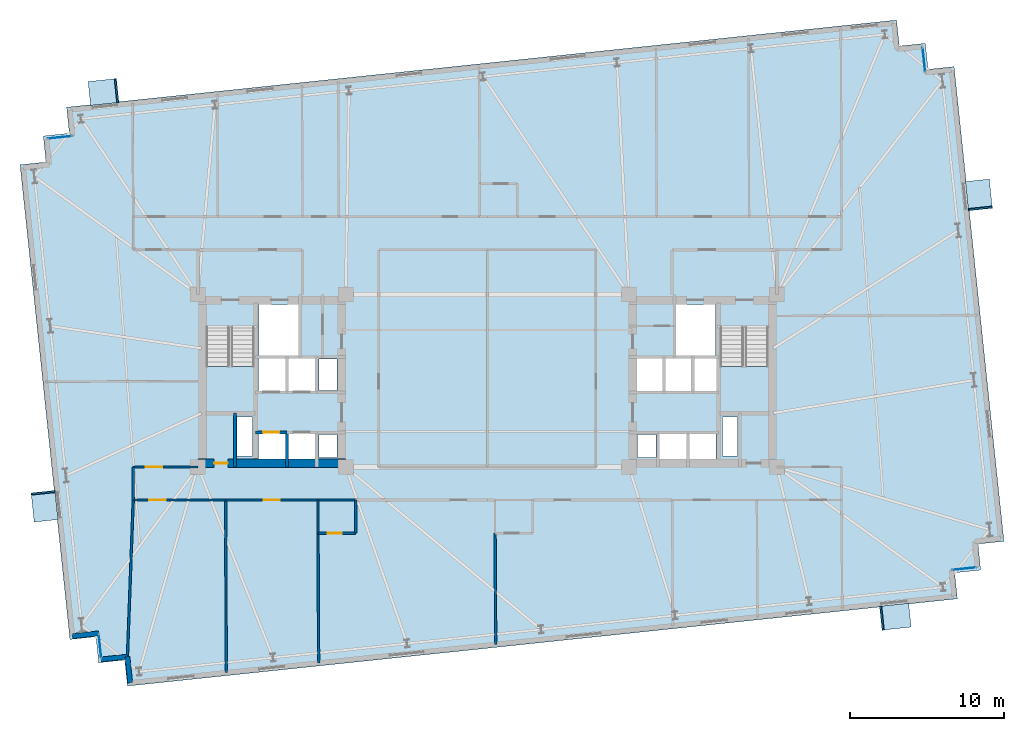
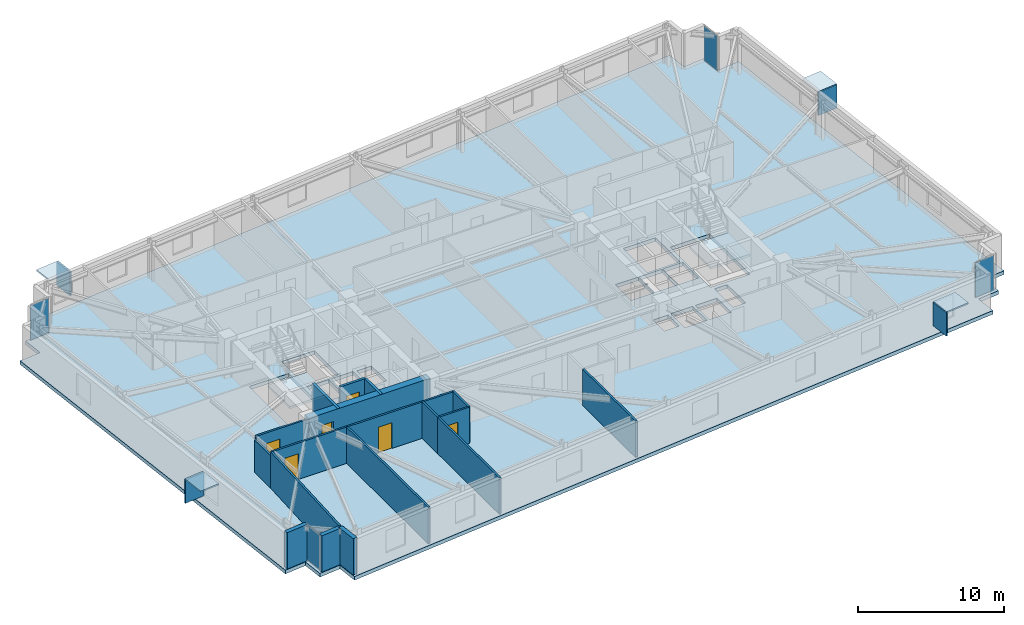
# One storey, part 11 of 17: 19 walls, 12 plates, 6 doors, 3 slabs, 6 openings, 6 elements without a shape of their own.
"""IFC4 building model written with IfcOpenShell, lengths in metres."""

from ifc_helpers import new_model, si_unit, direction, frame, frame_2d, origin, origin_2d, place, context, subcontext, project, spatial, polyline, rectangle, outline, extrude, material, layer, layer_set, type_object, element, fill, aggregate, save


model = new_model("IFC4")

# Units and contexts
model_context = context("Model", 3, precision=1e-05, world=origin(), true_north=direction((0.0, 1.0)))
body_context = subcontext(model_context, "Body", "Model", "MODEL_VIEW")
ifc_project = project(units=[si_unit("LENGTHUNIT", "METRE"), si_unit("AREAUNIT", "SQUARE_METRE"), si_unit("VOLUMEUNIT", "CUBIC_METRE"), si_unit("PLANEANGLEUNIT", "RADIAN"), si_unit("MASSUNIT", "GRAM", prefix="KILO")], contexts=[model_context])

# Site, building, storey
site_placement = place(None, origin())
site = spatial("IfcSite", under=ifc_project, at=site_placement, CompositionType="ELEMENT")
building_placement = place(site_placement, origin())
building = spatial("IfcBuilding", under=site, at=building_placement, Name="Qobustan Lattice House", CompositionType="ELEMENT")
storey_placement = place(building_placement, frame((0.0, 0.0, 112.5)))
storey = spatial("IfcBuildingStorey", under=building, at=storey_placement, Name="L31", CompositionType="ELEMENT", Elevation=112.5)

# Curtain wall, plate
ifc_material_1 = material(Name="Anodised aluminium and low-E glazing", Category="aluminium")
ifc_layer_1 = layer(ifc_material_1, 0.219970703125)
ifc_layer_set_1 = layer_set([ifc_layer_1], Name="Anodised aluminium and low-E glazing")
curtain_wall_type = type_object("IfcCurtainWallType", Name="CW-FAC-01", PredefinedType="USERDEFINED", material=ifc_layer_set_1)
curtain_wall_1_placement = place(storey_placement, origin())
curtain_wall_1 = element("IfcCurtainWall", 1, at=curtain_wall_1_placement, inside=storey, type_object=curtain_wall_type, Name="L31 serrated corner faceted glazing 3", ObjectType="CURTAIN WALL", PredefinedType="USERDEFINED")
ifc_material_2 = material(Name="Clear low-E laminated glass", Category="glass")
ifc_layer_2 = layer(ifc_material_2, 0.031982421875)
ifc_layer_set_2 = layer_set([ifc_layer_2], Name="Clear low-E laminated glass")
plate_type_1 = type_object("IfcPlateType", Name="CWP-VISION-32", PredefinedType="CURTAIN_PANEL", material=ifc_layer_set_2)
plate_1_placement = place(storey_placement, frame((-25.155029296875, -17.2509765625, 0.06494140625), z_axis=(0.0, 0.0, 1.0), x_axis=(-0.104528620025, 0.994521878892, 0.0)))
plate_1 = element("IfcPlate", 2, at=plate_1_placement, type_object=plate_type_1, Name="CW-F1 panel 1.1", PredefinedType="CURTAIN_PANEL", context=body_context, shape_type="SweptSolid", body=[
    extrude(rectangle(XDim=1.56005859375, YDim=0.031982421875, at=origin_2d()), origin(), (0.0, 0.0, 1.0), 2.9150390625),
])
aggregate(curtain_wall_1, [plate_1])

curtain_wall_2_placement = place(storey_placement, origin())
curtain_wall_2 = element("IfcCurtainWall", 3, at=curtain_wall_2_placement, inside=storey, type_object=curtain_wall_type, Name="L31 serrated corner faceted glazing 8", ObjectType="CURTAIN WALL", PredefinedType="USERDEFINED")
plate_2_placement = place(storey_placement, frame((-27.77490234375, 15.80615234375, 0.06494140625), z_axis=(0.0, 0.0, 1.0), x_axis=(0.994521878892, 0.104528620025, 0.0)))
plate_2 = element("IfcPlate", 4, at=plate_2_placement, type_object=plate_type_1, Name="CW-F1 panel 1.1", PredefinedType="CURTAIN_PANEL", context=body_context, shape_type="SweptSolid", body=[
    extrude(rectangle(XDim=1.56005859375, YDim=0.031982421875, at=origin_2d()), origin(), (0.0, 0.0, 1.0), 2.9150390625),
])
aggregate(curtain_wall_2, [plate_2])

curtain_wall_3_placement = place(storey_placement, origin())
curtain_wall_3 = element("IfcCurtainWall", 5, at=curtain_wall_3_placement, inside=storey, type_object=curtain_wall_type, Name="L31 serrated corner faceted glazing 13", ObjectType="CURTAIN WALL", PredefinedType="USERDEFINED")
plate_3_placement = place(storey_placement, frame((28.355224609375, 20.85107421875, 0.06494140625), z_axis=(0.0, 0.0, 1.0), x_axis=(0.104528620025, -0.994521878892, 0.0)))
plate_3 = element("IfcPlate", 6, at=plate_3_placement, type_object=plate_type_1, Name="CW-F1 panel 1.1", PredefinedType="CURTAIN_PANEL", context=body_context, shape_type="SweptSolid", body=[
    extrude(rectangle(XDim=1.56005859375, YDim=0.031982421875, at=origin_2d()), origin(), (0.0, 0.0, 1.0), 2.9150390625),
])
aggregate(curtain_wall_3, [plate_3])

curtain_wall_4_placement = place(storey_placement, origin())
curtain_wall_4 = element("IfcCurtainWall", 7, at=curtain_wall_4_placement, inside=storey, type_object=curtain_wall_type, Name="L31 serrated corner faceted glazing 18", ObjectType="CURTAIN WALL", PredefinedType="USERDEFINED")
plate_4_placement = place(storey_placement, frame((30.974853515625, -12.206298828125, 0.06494140625), z_axis=(0.0, 0.0, 1.0), x_axis=(-0.994521878892, -0.104528620025, 0.0)))
plate_4 = element("IfcPlate", 8, at=plate_4_placement, type_object=plate_type_1, Name="CW-F1 panel 1.1", PredefinedType="CURTAIN_PANEL", context=body_context, shape_type="SweptSolid", body=[
    extrude(rectangle(XDim=1.56005859375, YDim=0.031982421875, at=origin_2d()), origin(), (0.0, 0.0, 1.0), 2.9150390625),
])
aggregate(curtain_wall_4, [plate_4])

# Plates
ifc_material_3 = material(Name="Qobustan limestone GFRC", Category="masonry")
ifc_layer_3 = layer(ifc_material_3, 0.1201171875)
ifc_layer_set_3 = layer_set([ifc_layer_3], Name="Qobustan limestone GFRC")
plate_type_2 = type_object("IfcPlateType", Name="SHD-HOOD-BROW", PredefinedType="USERDEFINED", material=ifc_layer_set_3)
plate_5_placement = place(storey_placement, frame((-28.755615234375, -8.156494140625, 2.699951171875), z_axis=(0.0, 0.0, 1.0), x_axis=(-0.104528463268, 0.994521895368, 0.0)))
element("IfcPlate", 9, at=plate_5_placement, inside=storey, type_object=plate_type_2, Name="L31 splayed Qobustan stone hood brow", ObjectType="SUNSHADE", PredefinedType="USERDEFINED", context=body_context, shape_type="SweptSolid", body=[
    extrude(rectangle(XDim=1.889892578125, YDim=1.56005859375, at=origin_2d()), origin(), (0.0, 0.0, 1.0), 0.1201171875),
])
plate_6_placement = place(storey_placement, frame((-28.84814453125, -7.276123046875, 0.7900390625), z_axis=(0.0, 0.0, 1.0), x_axis=(-0.104528463268, 0.994521895368, 0.0)))
element("IfcPlate", 10, at=plate_6_placement, inside=storey, type_object=plate_type_2, Name="L31 splayed Qobustan stone hood cheek", ObjectType="SUNSHADE", PredefinedType="USERDEFINED", context=body_context, shape_type="SweptSolid", body=[
    extrude(rectangle(XDim=0.1201171875, YDim=1.56005859375, at=origin_2d()), origin(), (0.0, 0.0, 1.0), 1.969970703125),
])
plate_7_placement = place(storey_placement, frame((-24.935302734375, 18.7490234375, 2.699951171875), z_axis=(0.0, 0.0, 1.0), x_axis=(0.994521895368, 0.104528463268, 0.0)))
element("IfcPlate", 11, at=plate_7_placement, inside=storey, type_object=plate_type_2, Name="L31 splayed Qobustan stone hood brow", ObjectType="SUNSHADE", PredefinedType="USERDEFINED", context=body_context, shape_type="SweptSolid", body=[
    extrude(rectangle(XDim=1.840087890625, YDim=1.56005859375, at=origin_2d()), origin(), (0.0, 0.0, 1.0), 0.1201171875),
])
plate_8_placement = place(storey_placement, frame((-24.080078125, 18.839111328125, 0.7900390625), z_axis=(0.0, 0.0, 1.0), x_axis=(0.994521895368, 0.104528463268, 0.0)))
element("IfcPlate", 12, at=plate_8_placement, inside=storey, type_object=plate_type_2, Name="L31 splayed Qobustan stone hood cheek", ObjectType="SUNSHADE", PredefinedType="USERDEFINED", context=body_context, shape_type="SweptSolid", body=[
    extrude(rectangle(XDim=0.1201171875, YDim=1.56005859375, at=origin_2d()), origin(), (0.0, 0.0, 1.0), 1.969970703125),
])
plate_9_placement = place(storey_placement, frame((31.922119140625, 12.074951171875, 2.699951171875), z_axis=(0.0, 0.0, 1.0), x_axis=(0.104528463268, -0.994521895368, 0.0)))
element("IfcPlate", 13, at=plate_9_placement, inside=storey, type_object=plate_type_2, Name="L31 splayed Qobustan stone hood brow", ObjectType="SUNSHADE", PredefinedType="USERDEFINED", context=body_context, shape_type="SweptSolid", body=[
    extrude(rectangle(XDim=1.889892578125, YDim=1.56005859375, at=origin_2d()), origin(), (0.0, 0.0, 1.0), 0.1201171875),
])
plate_10_placement = place(storey_placement, frame((32.0146484375, 11.19482421875, 0.7900390625), z_axis=(0.0, 0.0, 1.0), x_axis=(0.104528463268, -0.994521895368, 0.0)))
element("IfcPlate", 14, at=plate_10_placement, inside=storey, type_object=plate_type_2, Name="L31 splayed Qobustan stone hood cheek", ObjectType="SUNSHADE", PredefinedType="USERDEFINED", context=body_context, shape_type="SweptSolid", body=[
    extrude(rectangle(XDim=0.1201171875, YDim=1.56005859375, at=origin_2d()), origin(), (0.0, 0.0, 1.0), 1.969970703125),
])
plate_11_placement = place(storey_placement, frame((26.503173828125, -15.32080078125, 2.699951171875), z_axis=(0.0, 0.0, 1.0), x_axis=(-0.994521895368, -0.104528463268, 0.0)))
element("IfcPlate", 15, at=plate_11_placement, inside=storey, type_object=plate_type_2, Name="L31 splayed Qobustan stone hood brow", ObjectType="SUNSHADE", PredefinedType="USERDEFINED", context=body_context, shape_type="SweptSolid", body=[
    extrude(rectangle(XDim=1.889892578125, YDim=1.56005859375, at=origin_2d()), origin(), (0.0, 0.0, 1.0), 0.1201171875),
])
plate_12_placement = place(storey_placement, frame((25.623046875, -15.4130859375, 0.7900390625), z_axis=(0.0, 0.0, 1.0), x_axis=(-0.994521895368, -0.104528463268, 0.0)))
element("IfcPlate", 16, at=plate_12_placement, inside=storey, type_object=plate_type_2, Name="L31 splayed Qobustan stone hood cheek", ObjectType="SUNSHADE", PredefinedType="USERDEFINED", context=body_context, shape_type="SweptSolid", body=[
    extrude(rectangle(XDim=0.1201171875, YDim=1.56005859375, at=origin_2d()), origin(), (0.0, 0.0, 1.0), 1.969970703125),
])

# Slab
ifc_material_4 = material(Name="Concrete C40/50", Category="concrete")
ifc_layer_4 = layer(ifc_material_4, 0.304931640625)
ifc_layer_set_4 = layer_set([ifc_layer_4], Name="Concrete C40/50")
slab_type_1 = type_object("IfcSlabType", Name="SLB-FLR-305", PredefinedType="FLOOR", material=ifc_layer_set_4)
slab_1_placement = place(storey_placement, frame((0.0, 0.0, -0.304931640625)))
element("IfcSlab", 17, at=slab_1_placement, inside=storey, type_object=slab_type_1, Name="L31 structural floor slab", PredefinedType="FLOOR", context=body_context, shape_type="SweptSolid", body=[
    extrude(outline(polyline([(-23.3759765625, -19.8291015625), (30.527099609375, -14.163818359375), (30.349365234375, -12.47314453125), (32.0400390625, -12.29541015625), (31.8623046875, -10.604736328125), (33.552978515625, -10.427001953125), (30.312744140625, 20.4033203125), (28.6220703125, 20.2255859375), (28.4443359375, 21.916259765625), (26.753662109375, 21.738525390625), (26.575927734375, 23.42919921875), (-27.3271484375, 17.763671875), (-27.1494140625, 16.072998046875), (-28.840087890625, 15.8955078125), (-28.662353515625, 14.20458984375), (-30.35302734375, 14.027099609375), (-27.11279296875, -16.80322265625), (-25.422119140625, -16.62548828125), (-25.244384765625, -18.316162109375), (-23.5537109375, -18.138427734375), (-23.3759765625, -19.8291015625)]), holes=[polyline([(-18.25, -2.050048828125), (-18.25, 3.489990234375), (-15.1298828125, 3.489990234375), (-15.1298828125, -2.050048828125), (-18.25, -2.050048828125)]), polyline([(15.1298828125, -2.050048828125), (15.1298828125, 3.489990234375), (18.25, 3.489990234375), (18.25, -2.050048828125), (15.1298828125, -2.050048828125)]), polyline([(-14.820068359375, 1.64990234375), (-14.820068359375, 4.9599609375), (-12.25, 4.9599609375), (-12.25, 1.64990234375), (-14.820068359375, 1.64990234375)]), polyline([(12.25, 1.64990234375), (12.25, 4.9599609375), (14.820068359375, 4.9599609375), (14.820068359375, 1.64990234375), (12.25, 1.64990234375)]), polyline([(-16.260009765625, -4.8798828125), (-16.260009765625, -2.360107421875), (-15.260009765625, -2.360107421875), (-15.260009765625, -4.8798828125), (-16.260009765625, -4.8798828125)]), polyline([(15.260009765625, -4.8798828125), (15.260009765625, -2.360107421875), (16.260009765625, -2.360107421875), (16.260009765625, -4.8798828125), (15.260009765625, -4.8798828125)]), polyline([(-14.85009765625, -5.35009765625), (-14.85009765625, -3.419921875), (-13.1201171875, -3.419921875), (-13.1201171875, -5.35009765625), (-14.85009765625, -5.35009765625)]), polyline([(-12.919921875, -5.35009765625), (-12.919921875, -3.419921875), (-11.179931640625, -3.419921875), (-11.179931640625, -5.35009765625), (-12.919921875, -5.35009765625)]), polyline([(-14.85009765625, -0.679931640625), (-14.85009765625, 1.47998046875), (-13.1201171875, 1.47998046875), (-13.1201171875, -0.679931640625), (-14.85009765625, -0.679931640625)]), polyline([(-12.919921875, -0.679931640625), (-12.919921875, 1.47998046875), (-11.179931640625, 1.47998046875), (-11.179931640625, -0.679931640625), (-12.919921875, -0.679931640625)]), polyline([(-10.93994140625, -5.0), (-10.93994140625, -3.47998046875), (-9.760009765625, -3.47998046875), (-9.760009765625, -5.0), (-10.93994140625, -5.0)]), polyline([(-10.93994140625, -0.6201171875), (-10.93994140625, 1.419921875), (-9.760009765625, 1.419921875), (-9.760009765625, -0.6201171875), (-10.93994140625, -0.6201171875)]), polyline([(11.179931640625, -5.35009765625), (11.179931640625, -3.419921875), (12.919921875, -3.419921875), (12.919921875, -5.35009765625), (11.179931640625, -5.35009765625)]), polyline([(13.1201171875, -5.35009765625), (13.1201171875, -3.419921875), (14.85009765625, -3.419921875), (14.85009765625, -5.35009765625), (13.1201171875, -5.35009765625)]), polyline([(9.760009765625, -5.0), (9.760009765625, -3.47998046875), (10.93994140625, -3.47998046875), (10.93994140625, -5.0), (9.760009765625, -5.0)]), polyline([(13.360107421875, -0.679931640625), (13.360107421875, 1.47998046875), (14.97998046875, 1.47998046875), (14.97998046875, -0.679931640625), (13.360107421875, -0.679931640625)]), polyline([(9.6201171875, -0.679931640625), (9.6201171875, 1.47998046875), (11.43994140625, 1.47998046875), (11.43994140625, -0.679931640625), (9.6201171875, -0.679931640625)]), polyline([(11.5, -0.679931640625), (11.5, 1.47998046875), (13.320068359375, 1.47998046875), (13.320068359375, -0.679931640625), (11.5, -0.679931640625)])]), origin(), (0.0, 0.0, 1.0), 0.304931640625),
])

# Stair, slab
ifc_material_5 = material(Name="Concrete C40/50", Category="concrete")
stair_type = type_object("IfcStairType", Name="STR-CORE-DOGLEG", PredefinedType="HALF_TURN_STAIR", material=ifc_material_5)
stair_1_placement = place(storey_placement, origin())
stair_1 = element("IfcStair", 18, at=stair_1_placement, inside=storey, type_object=stair_type, Name="L31 West protected exit stair ST-W1", PredefinedType="HALF_TURN_STAIR")
ifc_material_6 = material(Name="Concrete C40/50", Category="concrete")
ifc_layer_5 = layer(ifc_material_6, 0.199951171875)
ifc_layer_set_5 = layer_set([ifc_layer_5], Name="Concrete C40/50")
slab_type_2 = type_object("IfcSlabType", Name="SLB-LANDING-200", PredefinedType="LANDING", material=ifc_layer_set_5)
slab_2_placement = place(storey_placement, frame((0.0, 0.0, 1.47509765625)))
slab_2 = element("IfcSlab", 19, at=slab_2_placement, type_object=slab_type_2, Name="ST-W1 landing 1", PredefinedType="LANDING", context=body_context, shape_type="SweptSolid", body=[
    extrude(outline(polyline([(-18.25, 0.93505859375), (-18.25, -2.050048828125), (-15.1298828125, -2.050048828125), (-15.1298828125, 0.93505859375), (-18.25, 0.93505859375)])), origin(), (0.0, 0.0, 1.0), 0.199951171875),
])
aggregate(stair_1, [slab_2])

stair_2_placement = place(storey_placement, origin())
stair_2 = element("IfcStair", 20, at=stair_2_placement, inside=storey, type_object=stair_type, Name="L31 East protected exit stair ST-E1", PredefinedType="HALF_TURN_STAIR")
slab_3_placement = place(storey_placement, frame((0.0, 0.0, 1.47509765625)))
slab_3 = element("IfcSlab", 21, at=slab_3_placement, type_object=slab_type_2, Name="ST-E1 landing 1", PredefinedType="LANDING", context=body_context, shape_type="SweptSolid", body=[
    extrude(outline(polyline([(15.1298828125, 0.93505859375), (15.1298828125, -2.050048828125), (18.25, -2.050048828125), (18.25, 0.93505859375), (15.1298828125, 0.93505859375)])), origin(), (0.0, 0.0, 1.0), 0.199951171875),
])
aggregate(stair_2, [slab_3])

# Wall, opening, door
ifc_material_7 = material(Name="Concrete C60/75", Category="concrete")
ifc_layer_6 = layer(ifc_material_7, 0.56005859375)
ifc_layer_set_6 = layer_set([ifc_layer_6], Name="Concrete C60/75")
wall_type_1 = type_object("IfcWallType", Name="WAL-CORE-600", PredefinedType="SHEAR", material=ifc_layer_set_6)
wall_1_placement = place(storey_placement, frame((-18.800048828125, -5.35009765625, 0.0), z_axis=(0.0, 0.0, 1.0), x_axis=(1.0, 0.0, 0.0)))
wall_1 = element("IfcWall", 22, at=wall_1_placement, inside=storey, type_object=wall_type_1, Name="L31 split-core shear wall CW-S", PredefinedType="SHEAR", context=body_context, shape_type="SweptSolid", body=[
    extrude(rectangle(XDim=9.60009765625, YDim=0.56005859375, at=frame_2d((4.800048828125, 0.0))), origin(), (0.0, 0.0, 1.0), 3.044921875),
])
opening_1_placement = place(wall_1_placement, frame((1.050048828125, 0.0, 0.0)))
opening_1 = element("IfcOpeningElement", 23, at=opening_1_placement, cuts=wall_1, Name="Opening RD-01", PredefinedType="OPENING", context=body_context, shape_type="SweptSolid", body=[
    extrude(rectangle(XDim=0.89990234375, YDim=2.10009765625, at=frame_2d((0.449951171875, 1.050048828125))), frame((0.0, 0.2900390625, 0.0), z_axis=(0.0, -1.0, 0.0), x_axis=(1.0, 0.0, 0.0)), (0.0, 0.0, 1.0), 0.580078125),
])
ifc_material_8 = material(Name="Persian walnut timber and steel frame door", Category="steel")
door_type_1 = type_object("IfcDoorType", Name="DOR-RISER-FD-900x2100", OperationType="NOTDEFINED", PredefinedType="DOOR", material=ifc_material_8)
door_1_placement = place(opening_1_placement, origin())
door_1 = element("IfcDoor", 24, at=door_1_placement, inside=storey, type_object=door_type_1, Name="L31 core service riser access door W", OperationType="SINGLE_SWING_RIGHT", OverallHeight=2.10009765625, OverallWidth=0.89990234375, PredefinedType="DOOR", context=body_context, shape_type="SweptSolid", body=[
    extrude(rectangle(XDim=0.89990234375, YDim=2.10009765625, at=frame_2d((0.449951171875, 1.050048828125))), frame((0.0, 0.02490234375, 0.0), z_axis=(0.0, -1.0, 0.0), x_axis=(1.0, 0.0, 0.0)), (0.0, 0.0, 1.0), 0.050048828125),
])
fill(opening_1, door_1)

# Walls
ifc_material_9 = material(Name="Precast concrete C40/50", Category="concrete")
ifc_layer_7 = layer(ifc_material_9, 0.320068359375)
ifc_layer_set_7 = layer_set([ifc_layer_7], Name="Precast concrete C40/50")
wall_type_2 = type_object("IfcWallType", Name="WAL-EXT-STONE-320", PredefinedType="SOLIDWALL", material=ifc_layer_set_7)
for number, where, z_axis, x_axis, name in (
    (25, (-23.197998046875, -19.609375, 0.0), (0.0, 0.0, 1.0), (-0.104550220202, 0.994519608382, 0.0), "L31 exterior limestone-clad wall 1"),
    (26, (-23.375732421875, -17.918701171875, 0.0), (0.0, 0.0, 1.0), (-0.994519608382, -0.104550220202, 0.0), "L31 exterior limestone-clad wall 2"),
):
    element("IfcWall", number, at=place(storey_placement, frame(where, z_axis=z_axis, x_axis=x_axis)), inside=storey, type_object=wall_type_2, Name=name, PredefinedType="SOLIDWALL", context=body_context, shape_type="SweptSolid", body=[
        extrude(rectangle(XDim=1.699951171875, YDim=0.320068359375, at=frame_2d((0.85009765625, 0.0))), origin(), (0.0, 0.0, 1.0), 3.044921875),
    ])
wall_2_placement = place(storey_placement, frame((-25.243896484375, -16.40576171875, 0.0), z_axis=(0.0, 0.0, 1.0), x_axis=(-0.994521177842, -0.104535289845, 0.0)))
element("IfcWall", 27, at=wall_2_placement, inside=storey, type_object=wall_type_2, Name="L31 exterior limestone-clad wall 4", PredefinedType="SOLIDWALL", context=body_context, shape_type="SweptSolid", body=[
    extrude(rectangle(XDim=1.7001953125, YDim=0.320068359375, at=frame_2d((0.85009765625, 0.0))), origin(), (0.0, 0.0, 1.0), 3.044921875),
])

# Wall, opening, door
ifc_material_10 = material(Name="Acoustic twin-stud gypsum partition", Category="gypsum")
ifc_layer_8 = layer(ifc_material_10, 0.14990234375)
ifc_layer_set_8 = layer_set([ifc_layer_8], Name="Acoustic twin-stud gypsum partition")
wall_type_3 = type_object("IfcWallType", Name="WAL-PART-150", PredefinedType="PARTITIONING", material=ifc_layer_set_8)
wall_3_placement = place(storey_placement, frame((-23.0, -5.60009765625, 0.0), z_axis=(0.0, 0.0, 1.0), x_axis=(1.0, 0.0, 0.0)))
wall_3 = element("IfcWall", 28, at=wall_3_placement, inside=storey, type_object=wall_type_3, Name="L31 interior partition 53", PredefinedType="PARTITIONING", context=body_context, shape_type="SweptSolid", body=[
    extrude(rectangle(XDim=4.199951171875, YDim=0.14990234375, at=frame_2d((2.10009765625, 0.0))), origin(), (0.0, 0.0, 1.0), 3.044921875),
])
opening_2_placement = place(wall_3_placement, frame((0.82861328125, 0.0, 0.0)))
opening_2 = element("IfcOpeningElement", 29, at=opening_2_placement, cuts=wall_3, Name="Opening ID-02", PredefinedType="OPENING", context=body_context, shape_type="SweptSolid", body=[
    extrude(rectangle(XDim=1.050048828125, YDim=2.14990234375, at=frame_2d((0.52490234375, 1.074951171875))), frame((0.0, 0.0849609375, 0.0), z_axis=(0.0, -1.0, 0.0), x_axis=(1.0, 0.0, 0.0)), (0.0, 0.0, 1.0), 0.169921875),
])
ifc_material_11 = material(Name="Persian walnut timber and steel frame door", Category="steel")
door_type_2 = type_object("IfcDoorType", Name="DOR-STUDY-1050x2150", OperationType="NOTDEFINED", PredefinedType="DOOR", material=ifc_material_11)
door_2_placement = place(opening_2_placement, origin())
door_2 = element("IfcDoor", 30, at=door_2_placement, inside=storey, type_object=door_type_2, Name="L31 South-west floor corridor to Academic seminar room door", OperationType="SINGLE_SWING_LEFT", OverallHeight=2.14990234375, OverallWidth=1.050048828125, PredefinedType="DOOR", context=body_context, shape_type="SweptSolid", body=[
    extrude(rectangle(XDim=1.050048828125, YDim=2.14990234375, at=frame_2d((0.52490234375, 1.074951171875))), frame((0.0, 0.02490234375, 0.0), z_axis=(0.0, -1.0, 0.0), x_axis=(1.0, 0.0, 0.0)), (0.0, 0.0, 1.0), 0.050048828125),
])
fill(opening_2, door_2)

# Wall
wall_4_placement = place(storey_placement, frame((-23.0, -7.75, 0.0), z_axis=(0.0, 0.0, 1.0), x_axis=(0.0, 1.0, 0.0)))
element("IfcWall", 31, at=wall_4_placement, inside=storey, type_object=wall_type_3, Name="L31 interior partition 54", PredefinedType="PARTITIONING", context=body_context, shape_type="SweptSolid", body=[
    extrude(rectangle(XDim=2.14990234375, YDim=0.14990234375, at=frame_2d((1.074951171875, 0.0))), origin(), (0.0, 0.0, 1.0), 2.699951171875),
])

# Wall, opening, door
wall_5_placement = place(storey_placement, frame((-17.0, -7.75, 0.0), z_axis=(0.0, 0.0, 1.0), x_axis=(-1.0, 0.0, 0.0)))
wall_5 = element("IfcWall", 32, at=wall_5_placement, inside=storey, type_object=wall_type_3, Name="L31 interior partition 55", PredefinedType="PARTITIONING", context=body_context, shape_type="SweptSolid", body=[
    extrude(rectangle(XDim=6.0, YDim=0.14990234375, at=frame_2d((3.0, 0.0))), origin(), (0.0, 0.0, 1.0), 3.044921875),
])
opening_3_placement = place(wall_5_placement, frame((3.896240234375, 0.0, 0.0)))
opening_3 = element("IfcOpeningElement", 33, at=opening_3_placement, cuts=wall_5, Name="Opening ID-02", PredefinedType="OPENING", context=body_context, shape_type="SweptSolid", body=[
    extrude(rectangle(XDim=1.050048828125, YDim=2.14990234375, at=frame_2d((0.52490234375, 1.074951171875))), frame((0.0, 0.0849609375, 0.0), z_axis=(0.0, -1.0, 0.0), x_axis=(1.0, 0.0, 0.0)), (0.0, 0.0, 1.0), 0.169921875),
])
door_3_placement = place(opening_3_placement, origin())
door_3 = element("IfcDoor", 34, at=door_3_placement, inside=storey, type_object=door_type_2, Name="L31 South-west floor corridor to Focus study room S1A door", OperationType="SINGLE_SWING_RIGHT", OverallHeight=2.14990234375, OverallWidth=1.050048828125, PredefinedType="DOOR", context=body_context, shape_type="SweptSolid", body=[
    extrude(rectangle(XDim=1.050048828125, YDim=2.14990234375, at=frame_2d((0.52490234375, 1.074951171875))), frame((0.0, 0.02490234375, 0.0), z_axis=(0.0, -1.0, 0.0), x_axis=(1.0, 0.0, 0.0)), (0.0, 0.0, 1.0), 0.050048828125),
])
fill(opening_3, door_3)

wall_6_placement = place(storey_placement, frame((-11.0, -7.75, 0.0), z_axis=(0.0, 0.0, 1.0), x_axis=(-1.0, 0.0, 0.0)))
wall_6 = element("IfcWall", 35, at=wall_6_placement, inside=storey, type_object=wall_type_3, Name="L31 interior partition 56", PredefinedType="PARTITIONING", context=body_context, shape_type="SweptSolid", body=[
    extrude(rectangle(XDim=6.0, YDim=0.14990234375, at=frame_2d((3.0, 0.0))), origin(), (0.0, 0.0, 1.0), 3.044921875),
])
opening_4_placement = place(wall_6_placement, frame((2.47509765625, 0.0, 0.0)))
opening_4 = element("IfcOpeningElement", 36, at=opening_4_placement, cuts=wall_6, Name="Opening ID-02", PredefinedType="OPENING", context=body_context, shape_type="SweptSolid", body=[
    extrude(rectangle(XDim=1.050048828125, YDim=2.14990234375, at=frame_2d((0.52490234375, 1.074951171875))), frame((0.0, 0.0849609375, 0.0), z_axis=(0.0, -1.0, 0.0), x_axis=(1.0, 0.0, 0.0)), (0.0, 0.0, 1.0), 0.169921875),
])
door_4_placement = place(opening_4_placement, origin())
door_4 = element("IfcDoor", 37, at=door_4_placement, inside=storey, type_object=door_type_2, Name="L31 South-west floor corridor to Focus study room S1B door", OperationType="SINGLE_SWING_LEFT", OverallHeight=2.14990234375, OverallWidth=1.050048828125, PredefinedType="DOOR", context=body_context, shape_type="SweptSolid", body=[
    extrude(rectangle(XDim=1.050048828125, YDim=2.14990234375, at=frame_2d((0.52490234375, 1.074951171875))), frame((0.0, 0.02490234375, 0.0), z_axis=(0.0, -1.0, 0.0), x_axis=(1.0, 0.0, 0.0)), (0.0, 0.0, 1.0), 0.050048828125),
])
fill(opening_4, door_4)

# Walls
wall_7_placement = place(storey_placement, frame((-23.0, -7.75, 0.0), z_axis=(0.0, 0.0, 1.0), x_axis=(-0.036924695214, -0.999318050914, 0.0)))
element("IfcWall", 38, at=wall_7_placement, inside=storey, type_object=wall_type_3, Name="L31 interior partition 71", PredefinedType="PARTITIONING", context=body_context, shape_type="SweptSolid", body=[
    extrude(rectangle(XDim=10.175537109375, YDim=0.14990234375, at=frame_2d((5.087890625, 0.0))), origin(), (0.0, 0.0, 1.0), 3.044921875),
])
wall_8_placement = place(storey_placement, frame((-17.0, -7.75, 0.0), z_axis=(0.0, 0.0, 1.0), x_axis=(0.003922478487, -0.999992307052, 0.0)))
element("IfcWall", 39, at=wall_8_placement, inside=storey, type_object=wall_type_3, Name="L31 interior partition 85", PredefinedType="PARTITIONING", context=body_context, shape_type="SweptSolid", body=[
    extrude(rectangle(XDim=11.203369140625, YDim=0.14990234375, at=frame_2d((5.6015625, 0.0))), origin(), (0.0, 0.0, 1.0), 3.044921875),
])
wall_9_placement = place(storey_placement, frame((-11.0, -9.89990234375, 0.0), z_axis=(0.0, 0.0, 1.0), x_axis=(0.005217320294, -0.999986389692, 0.0)))
element("IfcWall", 40, at=wall_9_placement, inside=storey, type_object=wall_type_3, Name="L31 interior partition 86", PredefinedType="PARTITIONING", context=body_context, shape_type="SweptSolid", body=[
    extrude(rectangle(XDim=8.4228515625, YDim=0.14990234375, at=frame_2d((4.21142578125, 0.0))), origin(), (0.0, 0.0, 1.0), 3.044921875),
])
wall_10_placement = place(storey_placement, frame((0.5, -9.89990234375, 0.0), z_axis=(0.0, 0.0, 1.0), x_axis=(0.006091463685, -0.999981446863, 0.0)))
element("IfcWall", 41, at=wall_10_placement, inside=storey, type_object=wall_type_3, Name="L31 interior partition 90", PredefinedType="PARTITIONING", context=body_context, shape_type="SweptSolid", body=[
    extrude(rectangle(XDim=7.21435546875, YDim=0.14990234375, at=frame_2d((3.607177734375, 0.0))), origin(), (0.0, 0.0, 1.0), 3.044921875),
])
ifc_material_12 = material(Name="Concrete C40/50", Category="concrete")
ifc_layer_9 = layer(ifc_material_12, 0.199951171875)
ifc_layer_set_9 = layer_set([ifc_layer_9], Name="Concrete C40/50")
wall_type_4 = type_object("IfcWallType", Name="WAL-SHAFT-200", PredefinedType="PARTITIONING", material=ifc_layer_set_9)
wall_11_placement = place(storey_placement, frame((-16.39990234375, -5.60009765625, 0.0), z_axis=(0.0, 0.0, 1.0), x_axis=(0.0, 1.0, 0.0)))
element("IfcWall", 42, at=wall_11_placement, inside=storey, type_object=wall_type_4, Name="L31 interior partition 1", PredefinedType="PARTITIONING", context=body_context, shape_type="SweptSolid", body=[
    extrude(rectangle(XDim=3.489990234375, YDim=0.199951171875, at=frame_2d((1.7451171875, 0.0))), origin(), (0.0, 0.0, 1.0), 3.044921875),
])

# Wall, opening, door
wall_12_placement = place(storey_placement, frame((-15.050048828125, -3.35009765625, 0.0), z_axis=(0.0, 0.0, 1.0), x_axis=(1.0, 0.0, 0.0)))
wall_12 = element("IfcWall", 43, at=wall_12_placement, inside=storey, type_object=wall_type_4, Name="L31 interior partition 8", PredefinedType="PARTITIONING", context=body_context, shape_type="SweptSolid", body=[
    extrude(rectangle(XDim=2.030029296875, YDim=0.199951171875, at=frame_2d((1.01513671875, 0.0))), origin(), (0.0, 0.0, 1.0), 3.044921875),
])
opening_5_placement = place(wall_12_placement, frame((0.489990234375, 0.0, 0.0)))
opening_5 = element("IfcOpeningElement", 44, at=opening_5_placement, cuts=wall_12, Name="Opening LD-01", PredefinedType="OPENING", context=body_context, shape_type="SweptSolid", body=[
    extrude(rectangle(XDim=1.050048828125, YDim=2.10009765625, at=frame_2d((0.52490234375, 1.050048828125))), frame((0.0, 0.10986328125, 0.0), z_axis=(0.0, -1.0, 0.0), x_axis=(1.0, 0.0, 0.0)), (0.0, 0.0, 1.0), 0.219970703125),
])
ifc_material_13 = material(Name="Persian walnut timber and steel frame door", Category="steel")
door_type_3 = type_object("IfcDoorType", Name="DOR-LIFT-LD-1050x2100", OperationType="NOTDEFINED", PredefinedType="DOOR", material=ifc_material_13)
door_5_placement = place(opening_5_placement, origin())
door_5 = element("IfcDoor", 45, at=door_5_placement, inside=storey, type_object=door_type_3, Name="L31 lift landing door", OperationType="DOUBLE_DOOR_SLIDING", OverallHeight=2.10009765625, OverallWidth=1.050048828125, PredefinedType="DOOR", context=body_context, shape_type="SweptSolid", body=[
    extrude(rectangle(XDim=1.050048828125, YDim=2.10009765625, at=frame_2d((0.52490234375, 1.050048828125))), frame((0.0, 0.02490234375, 0.0), z_axis=(0.0, -1.0, 0.0), x_axis=(1.0, 0.0, 0.0)), (0.0, 0.0, 1.0), 0.050048828125),
])
fill(opening_5, door_5)

# Walls
wall_13_placement = place(storey_placement, frame((-13.02001953125, -5.60009765625, 0.0), z_axis=(0.0, 0.0, 1.0), x_axis=(0.0, 1.0, 0.0)))
element("IfcWall", 46, at=wall_13_placement, inside=storey, type_object=wall_type_4, Name="L31 interior partition 15", PredefinedType="PARTITIONING", context=body_context, shape_type="SweptSolid", body=[
    extrude(rectangle(XDim=2.25, YDim=0.199951171875, at=frame_2d((1.125, 0.0))), origin(), (0.0, 0.0, 1.0), 3.044921875),
])
ifc_material_14 = material(Name="Moisture-resistant acoustic plumbing wall", Category="gypsum")
ifc_layer_10 = layer(ifc_material_14, 0.14990234375)
ifc_layer_set_10 = layer_set([ifc_layer_10], Name="Moisture-resistant acoustic plumbing wall")
wall_type_5 = type_object("IfcWallType", Name="WAL-WET-150", PredefinedType="PLUMBINGWALL", material=ifc_layer_set_10)
wall_14_placement = place(storey_placement, frame((-8.550048828125, -7.75, 0.0), z_axis=(0.0, 0.0, 1.0), x_axis=(-1.0, 0.0, 0.0)))
element("IfcWall", 47, at=wall_14_placement, inside=storey, type_object=wall_type_5, Name="L31 interior partition 58", PredefinedType="PLUMBINGWALL", context=body_context, shape_type="SweptSolid", body=[
    extrude(rectangle(XDim=2.449951171875, YDim=0.14990234375, at=frame_2d((1.22509765625, 0.0))), origin(), (0.0, 0.0, 1.0), 3.044921875),
])
wall_15_placement = place(storey_placement, frame((-11.0, -7.75, 0.0), z_axis=(0.0, 0.0, 1.0), x_axis=(0.0, -1.0, 0.0)))
element("IfcWall", 48, at=wall_15_placement, inside=storey, type_object=wall_type_5, Name="L31 interior partition 87", PredefinedType="PLUMBINGWALL", context=body_context, shape_type="SweptSolid", body=[
    extrude(rectangle(XDim=2.14990234375, YDim=0.14990234375, at=frame_2d((1.074951171875, 0.0))), origin(), (0.0, 0.0, 1.0), 3.044921875),
])

# Wall, opening, door
wall_16_placement = place(storey_placement, frame((-11.0, -9.89990234375, 0.0), z_axis=(0.0, 0.0, 1.0), x_axis=(1.0, 0.0, 0.0)))
wall_16 = element("IfcWall", 49, at=wall_16_placement, inside=storey, type_object=wall_type_5, Name="L31 interior partition 88", PredefinedType="PLUMBINGWALL", context=body_context, shape_type="SweptSolid", body=[
    extrude(rectangle(XDim=2.449951171875, YDim=0.14990234375, at=frame_2d((1.22509765625, 0.0))), origin(), (0.0, 0.0, 1.0), 3.044921875),
])
opening_6_placement = place(wall_16_placement, frame((0.628662109375, 0.0, 0.0)))
opening_6 = element("IfcOpeningElement", 50, at=opening_6_placement, cuts=wall_16, Name="Opening WD-01", PredefinedType="OPENING", context=body_context, shape_type="SweptSolid", body=[
    extrude(rectangle(XDim=0.89990234375, YDim=2.10009765625, at=frame_2d((0.449951171875, 1.050048828125))), frame((0.0, 0.0849609375, 0.0), z_axis=(0.0, -1.0, 0.0), x_axis=(1.0, 0.0, 0.0)), (0.0, 0.0, 1.0), 0.169921875),
])
ifc_material_15 = material(Name="Persian walnut timber and steel frame door", Category="steel")
door_type_4 = type_object("IfcDoorType", Name="DOR-WET-900x2100", OperationType="NOTDEFINED", PredefinedType="DOOR", material=ifc_material_15)
door_6_placement = place(opening_6_placement, origin())
door_6 = element("IfcDoor", 51, at=door_6_placement, inside=storey, type_object=door_type_4, Name="L31 Kitchenette and studio apartment L31-S2 to En-suite bathroom L31-S2 door", OperationType="SINGLE_SWING_RIGHT", OverallHeight=2.10009765625, OverallWidth=0.89990234375, PredefinedType="DOOR", context=body_context, shape_type="SweptSolid", body=[
    extrude(rectangle(XDim=0.89990234375, YDim=2.10009765625, at=frame_2d((0.449951171875, 1.050048828125))), frame((0.0, 0.02490234375, 0.0), z_axis=(0.0, -1.0, 0.0), x_axis=(1.0, 0.0, 0.0)), (0.0, 0.0, 1.0), 0.050048828125),
])
fill(opening_6, door_6)

# Wall
wall_17_placement = place(storey_placement, frame((-8.550048828125, -9.89990234375, 0.0), z_axis=(0.0, 0.0, 1.0), x_axis=(0.0, 1.0, 0.0)))
element("IfcWall", 52, at=wall_17_placement, inside=storey, type_object=wall_type_5, Name="L31 interior partition 89", PredefinedType="PLUMBINGWALL", context=body_context, shape_type="SweptSolid", body=[
    extrude(rectangle(XDim=2.14990234375, YDim=0.14990234375, at=frame_2d((1.074951171875, 0.0))), origin(), (0.0, 0.0, 1.0), 3.044921875),
])

save(model, "model.ifc")
